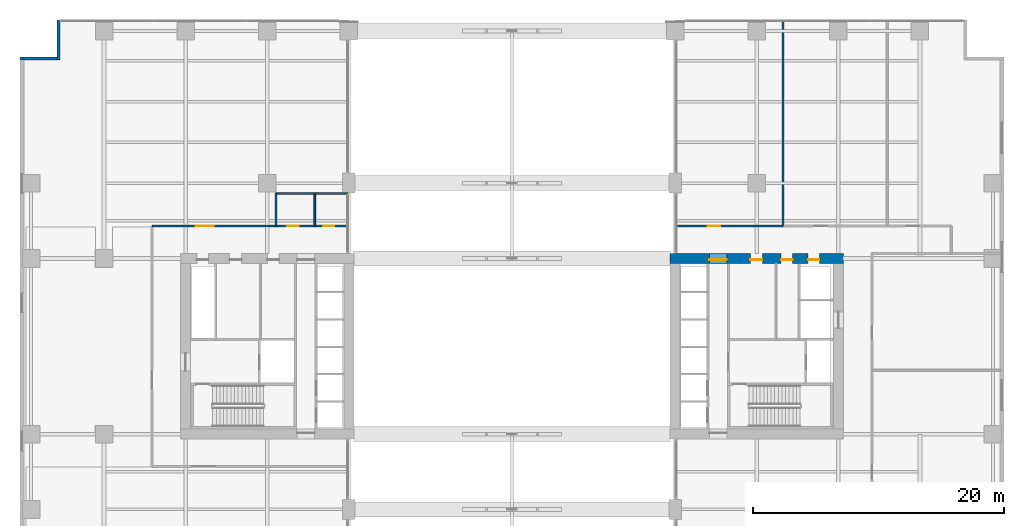
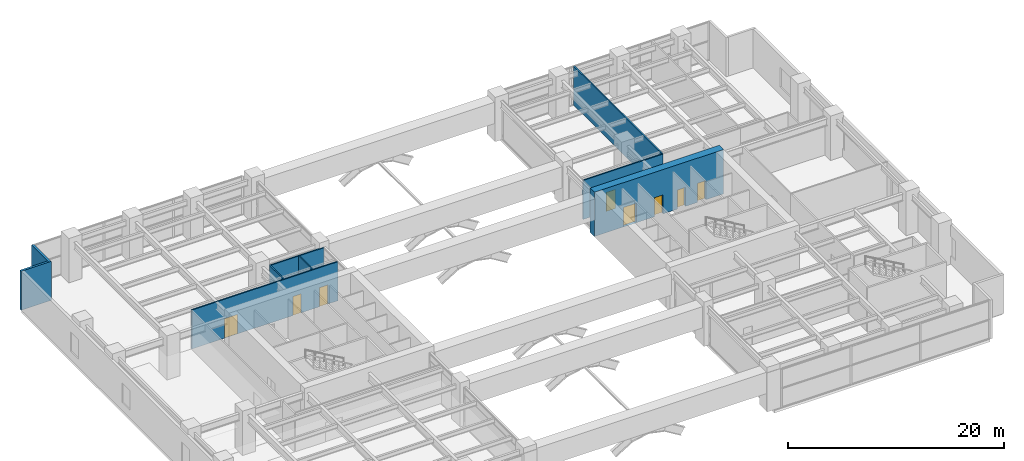
# One storey, part 17 of 23: 9 walls, 8 doors, 8 openings.
"""IFC4 building model written with IfcOpenShell, lengths in metres."""

from ifc_helpers import new_model, si_unit, direction, frame, frame_2d, origin, place, context, subcontext, project, spatial, rectangle, extrude, material, layer, layer_set, type_object, element, fill, save


model = new_model("IFC4")

# Units and contexts
model_context = context("Model", 3, precision=1e-05, world=origin(), true_north=direction((0.0, 1.0)))
body_context = subcontext(model_context, "Body", "Model", "MODEL_VIEW")
ifc_project = project(units=[si_unit("LENGTHUNIT", "METRE"), si_unit("AREAUNIT", "SQUARE_METRE"), si_unit("VOLUMEUNIT", "CUBIC_METRE"), si_unit("PLANEANGLEUNIT", "RADIAN"), si_unit("MASSUNIT", "GRAM", prefix="KILO")], contexts=[model_context])

# Site, building, storey
site_placement = place(None, origin())
site = spatial("IfcSite", under=ifc_project, at=site_placement, CompositionType="ELEMENT")
building_placement = place(site_placement, origin())
building = spatial("IfcBuilding", under=site, at=building_placement, Name="Putna Gate Headquarters", CompositionType="ELEMENT")
storey_placement = place(building_placement, frame((0.0, 0.0, 17.0)))
storey = spatial("IfcBuildingStorey", under=building, at=storey_placement, Name="L03", CompositionType="ELEMENT", Elevation=17.0)

# Wall, openings, doors
ifc_material_1 = material(Name="Concrete C60/75", Category="concrete")
ifc_layer_1 = layer(ifc_material_1, 0.800048828125)
ifc_layer_set_1 = layer_set([ifc_layer_1], Name="Concrete C60/75")
wall_type_1 = type_object("IfcWallType", Name="WALL-CORE-800", PredefinedType="SHEAR", material=ifc_layer_set_1)
wall_1_placement = place(storey_placement, frame((51.60009765625, 33.0, 0.0), z_axis=(0.0, 0.0, 1.0), x_axis=(1.0, 0.0, 0.0)))
wall_1 = element("IfcWall", 1, at=wall_1_placement, inside=storey, type_object=wall_type_1, Name="L03 EC Split Core Shear Wall N", PredefinedType="SHEAR", context=body_context, shape_type="SweptSolid", body=[
    extrude(rectangle(XDim=13.7998046875, YDim=0.800048828125, at=frame_2d((6.89990234375, 0.0))), origin(), (0.0, 0.0, 1.0), 5.0),
])
opening_1_placement = place(wall_1_placement, frame((3.1201171875, 0.0, 0.0)))
opening_1 = element("IfcOpeningElement", 2, at=opening_1_placement, cuts=wall_1, Name="Opening FDD-140", PredefinedType="OPENING", context=body_context, shape_type="SweptSolid", body=[
    extrude(rectangle(XDim=1.39990234375, YDim=2.199951171875, at=frame_2d((0.699951171875, 1.10009765625))), frame((0.0, 0.409912109375, 0.0), z_axis=(0.0, -1.0, 0.0), x_axis=(1.0, 0.0, 0.0)), (0.0, 0.0, 1.0), 0.820068359375),
])
opening_2_placement = place(wall_1_placement, frame((11.0, 0.0, 0.0)))
opening_2 = element("IfcOpeningElement", 3, at=opening_2_placement, cuts=wall_1, Name="Opening RD-90", PredefinedType="OPENING", context=body_context, shape_type="SweptSolid", body=[
    extrude(rectangle(XDim=0.89990234375, YDim=2.14990234375, at=frame_2d((0.449951171875, 1.074951171875))), frame((0.0, 0.409912109375, 0.0), z_axis=(0.0, -1.0, 0.0), x_axis=(1.0, 0.0, 0.0)), (0.0, 0.0, 1.0), 0.820068359375),
])
opening_3_placement = place(wall_1_placement, frame((6.39990234375, 0.0, 0.0)))
opening_3 = element("IfcOpeningElement", 4, at=opening_3_placement, cuts=wall_1, Name="Opening IDS-95", PredefinedType="OPENING", context=body_context, shape_type="SweptSolid", body=[
    extrude(rectangle(XDim=0.949951171875, YDim=2.14990234375, at=frame_2d((0.47509765625, 1.074951171875))), frame((0.0, 0.409912109375, 0.0), z_axis=(0.0, -1.0, 0.0), x_axis=(1.0, 0.0, 0.0)), (0.0, 0.0, 1.0), 0.820068359375),
])
opening_4_placement = place(wall_1_placement, frame((8.85009765625, 0.0, 0.0)))
opening_4 = element("IfcOpeningElement", 5, at=opening_4_placement, cuts=wall_1, Name="Opening IDS-90", PredefinedType="OPENING", context=body_context, shape_type="SweptSolid", body=[
    extrude(rectangle(XDim=0.89990234375, YDim=2.14990234375, at=frame_2d((0.449951171875, 1.074951171875))), frame((0.0, 0.409912109375, 0.0), z_axis=(0.0, -1.0, 0.0), x_axis=(1.0, 0.0, 0.0)), (0.0, 0.0, 1.0), 0.820068359375),
])
ifc_material_2 = material(Name="Double steel fire door", Category="steel")
door_type_1 = type_object("IfcDoorType", Name="DOOR-FIRE-DBL-1400", OperationType="DOUBLE_DOOR_SINGLE_SWING", PredefinedType="DOOR", material=ifc_material_2)
door_1_placement = place(opening_1_placement, origin())
door_1 = element("IfcDoor", 6, at=door_1_placement, inside=storey, type_object=door_type_1, Name="L03 East Lift Lobby North Door", OperationType="DOUBLE_DOOR_SINGLE_SWING", OverallHeight=2.199951171875, OverallWidth=1.39990234375, PredefinedType="DOOR", context=body_context, shape_type="SweptSolid", body=[
    extrude(rectangle(XDim=1.39990234375, YDim=2.199951171875, at=frame_2d((0.699951171875, 1.10009765625))), frame((0.0, -0.0751953125, 0.0), z_axis=(0.0, -1.0, 0.0), x_axis=(1.0, 0.0, 0.0)), (0.0, 0.0, 1.0), 0.050048828125),
])
fill(opening_1, door_1)
ifc_material_3 = material(Name="Fire-rated utility door")
door_type_2 = type_object("IfcDoorType", Name="DOOR-INT-900", OperationType="NOTDEFINED", PredefinedType="DOOR", material=ifc_material_3)
door_2_placement = place(opening_4_placement, origin())
door_2 = element("IfcDoor", 7, at=door_2_placement, inside=storey, type_object=door_type_2, Name="L03 Electrical Plant Door", OperationType="SINGLE_SWING_LEFT", OverallHeight=2.14990234375, OverallWidth=0.89990234375, PredefinedType="DOOR", context=body_context, shape_type="SweptSolid", body=[
    extrude(rectangle(XDim=0.89990234375, YDim=2.14990234375, at=frame_2d((0.449951171875, 1.074951171875))), frame((0.0, -0.0751953125, 0.0), z_axis=(0.0, -1.0, 0.0), x_axis=(1.0, 0.0, 0.0)), (0.0, 0.0, 1.0), 0.050048828125),
])
fill(opening_4, door_2)
ifc_material_4 = material(Name="Fire-rated service timber door", Category="wood")
door_type_3 = type_object("IfcDoorType", Name="DOOR-INT-950", OperationType="NOTDEFINED", PredefinedType="DOOR", material=ifc_material_4)
door_3_placement = place(opening_3_placement, origin())
door_3 = element("IfcDoor", 8, at=door_3_placement, inside=storey, type_object=door_type_3, Name="L03 East Store Door", OperationType="SINGLE_SWING_RIGHT", OverallHeight=2.14990234375, OverallWidth=0.949951171875, PredefinedType="DOOR", context=body_context, shape_type="SweptSolid", body=[
    extrude(rectangle(XDim=0.949951171875, YDim=2.14990234375, at=frame_2d((0.47509765625, 1.074951171875))), frame((0.0, -0.0751953125, 0.0), z_axis=(0.0, -1.0, 0.0), x_axis=(1.0, 0.0, 0.0)), (0.0, 0.0, 1.0), 0.050048828125),
])
fill(opening_3, door_3)
ifc_material_5 = material(Name="Steel riser access fire door", Category="steel")
door_type_4 = type_object("IfcDoorType", Name="DOOR-RISER-900", OperationType="NOTDEFINED", PredefinedType="DOOR", material=ifc_material_5)
door_4_placement = place(opening_2_placement, origin())
door_4 = element("IfcDoor", 9, at=door_4_placement, inside=storey, type_object=door_type_4, Name="L03 East Riser Access Door", OperationType="SINGLE_SWING_LEFT", OverallHeight=2.14990234375, OverallWidth=0.89990234375, PredefinedType="DOOR", context=body_context, shape_type="SweptSolid", body=[
    extrude(rectangle(XDim=0.89990234375, YDim=2.14990234375, at=frame_2d((0.449951171875, 1.074951171875))), frame((0.0, -0.0751953125, 0.0), z_axis=(0.0, -1.0, 0.0), x_axis=(1.0, 0.0, 0.0)), (0.0, 0.0, 1.0), 0.050048828125),
])
fill(opening_2, door_4)

# Walls
ifc_material_6 = material(Name="Precast concrete C40/50", Category="concrete")
ifc_layer_2 = layer(ifc_material_6, 0.239990234375)
ifc_layer_set_2 = layer_set([ifc_layer_2], Name="Precast concrete C40/50")
wall_type_2 = type_object("IfcWallType", Name="WALL-EXT-TERR-240", PredefinedType="STANDARD", material=ifc_layer_set_2)
for number, where, z_axis, x_axis, name in (
    (10, (2.8798828125, 48.800048828125, 0.0), (0.0, 0.0, 1.0), (0.0, 1.0, 0.0), "L03 Corner Notch Return Wall NW-V"),
    (11, (-0.199951171875, 48.919921875, 0.0), (0.0, 0.0, 1.0), (1.0, 0.0, 0.0), "L03 Corner Notch Return Wall NW-H"),
):
    element("IfcWall", number, at=place(storey_placement, frame(where, z_axis=z_axis, x_axis=x_axis)), inside=storey, type_object=wall_type_2, Name=name, PredefinedType="STANDARD", context=body_context, shape_type="SweptSolid", body=[
        extrude(rectangle(XDim=3.199951171875, YDim=0.239990234375, at=frame_2d((1.60009765625, 0.0))), origin(), (0.0, 0.0, 1.0), 4.39990234375),
    ])
ifc_material_7 = material(Name="Fire-rated gypsum board on metal stud")
ifc_layer_3 = layer(ifc_material_7, 0.139892578125)
ifc_layer_set_3 = layer_set([ifc_layer_3], Name="Fire-rated gypsum board on metal stud")
wall_type_3 = type_object("IfcWallType", Name="WALL-PART-140", PredefinedType="PARTITIONING", material=ifc_layer_set_3)
for number, where, z_axis, x_axis, name in (
    (12, (20.199951171875, 35.580078125, 0.0), (0.0, 0.0, 1.0), (0.0, 1.0, 0.0), "L03 Interior Wall PART-L03-PODWC-W"),
    (13, (23.2900390625, 35.580078125, 0.0), (0.0, 0.0, 1.0), (0.0, 1.0, 0.0), "L03 Interior Wall PART-L03-PODWC-M"),
):
    element("IfcWall", number, at=place(storey_placement, frame(where, z_axis=z_axis, x_axis=x_axis)), inside=storey, type_object=wall_type_3, Name=name, PredefinedType="PARTITIONING", context=body_context, shape_type="SweptSolid", body=[
        extrude(rectangle(XDim=2.599853515625, YDim=0.139892578125, at=frame_2d((1.2998046875, 0.0))), origin(), (0.0, 0.0, 1.0), 4.39990234375),
    ])
wall_2_placement = place(storey_placement, frame((20.199951171875, 38.179931640625, 0.0), z_axis=(0.0, 0.0, 1.0), x_axis=(1.0, 0.0, 0.0)))
element("IfcWall", 14, at=wall_2_placement, inside=storey, type_object=wall_type_3, Name="L03 Interior Wall PART-L03-PODWC-N", PredefinedType="PARTITIONING", context=body_context, shape_type="SweptSolid", body=[
    extrude(rectangle(XDim=5.719970703125, YDim=0.139892578125, at=frame_2d((2.85986328125, 0.0))), origin(), (0.0, 0.0, 1.0), 4.39990234375),
])

# Wall, openings, doors
wall_3_placement = place(storey_placement, frame((10.320068359375, 35.580078125, 0.0), z_axis=(0.0, 0.0, 1.0), x_axis=(1.0, 0.0, 0.0)))
wall_3 = element("IfcWall", 15, at=wall_3_placement, inside=storey, type_object=wall_type_3, Name="L03 Interior Wall PART-L03-WN-CW", PredefinedType="PARTITIONING", context=body_context, shape_type="SweptSolid", body=[
    extrude(rectangle(XDim=15.599853515625, YDim=0.139892578125, at=frame_2d((7.7998046875, 0.0))), origin(), (0.0, 0.0, 1.0), 4.39990234375),
])
opening_5_placement = place(wall_3_placement, frame((10.780029296875, 0.0, 0.0)))
opening_5 = element("IfcOpeningElement", 16, at=opening_5_placement, cuts=wall_3, Name="Opening IDS-90", PredefinedType="OPENING", context=body_context, shape_type="SweptSolid", body=[
    extrude(rectangle(XDim=0.89990234375, YDim=2.14990234375, at=frame_2d((0.449951171875, 1.074951171875))), frame((0.0, 0.079833984375, 0.0), z_axis=(0.0, -1.0, 0.0), x_axis=(1.0, 0.0, 0.0)), (0.0, 0.0, 1.0), 0.159912109375),
])
opening_6_placement = place(wall_3_placement, frame((13.6298828125, 0.0, 0.0)))
opening_6 = element("IfcOpeningElement", 17, at=opening_6_placement, cuts=wall_3, Name="Opening IDS-90", PredefinedType="OPENING", context=body_context, shape_type="SweptSolid", body=[
    extrude(rectangle(XDim=0.89990234375, YDim=2.14990234375, at=frame_2d((0.449951171875, 1.074951171875))), frame((0.0, 0.079833984375, 0.0), z_axis=(0.0, -1.0, 0.0), x_axis=(1.0, 0.0, 0.0)), (0.0, 0.0, 1.0), 0.159912109375),
])
opening_7_placement = place(wall_3_placement, frame((3.5, 0.0, 0.0)))
opening_7 = element("IfcOpeningElement", 18, at=opening_7_placement, cuts=wall_3, Name="Opening FDD-140", PredefinedType="OPENING", context=body_context, shape_type="SweptSolid", body=[
    extrude(rectangle(XDim=1.39990234375, YDim=2.199951171875, at=frame_2d((0.699951171875, 1.10009765625))), frame((0.0, 0.079833984375, 0.0), z_axis=(0.0, -1.0, 0.0), x_axis=(1.0, 0.0, 0.0)), (0.0, 0.0, 1.0), 0.159912109375),
])
door_5_placement = place(opening_7_placement, origin())
door_5 = element("IfcDoor", 19, at=door_5_placement, inside=storey, type_object=door_type_1, Name="L03 Commercial Kitchen Door", OperationType="DOUBLE_DOOR_SINGLE_SWING", OverallHeight=2.199951171875, OverallWidth=1.39990234375, PredefinedType="DOOR", context=body_context, shape_type="SweptSolid", body=[
    extrude(rectangle(XDim=1.39990234375, YDim=2.199951171875, at=frame_2d((0.699951171875, 1.10009765625))), frame((0.0, 0.02490234375, 0.0), z_axis=(0.0, -1.0, 0.0), x_axis=(1.0, 0.0, 0.0)), (0.0, 0.0, 1.0), 0.050048828125),
])
fill(opening_7, door_5)
door_6_placement = place(opening_5_placement, origin())
door_6 = element("IfcDoor", 20, at=door_6_placement, inside=storey, type_object=door_type_2, Name="L03 Washroom Door", OperationType="SINGLE_SWING_LEFT", OverallHeight=2.14990234375, OverallWidth=0.89990234375, PredefinedType="DOOR", context=body_context, shape_type="SweptSolid", body=[
    extrude(rectangle(XDim=0.89990234375, YDim=2.14990234375, at=frame_2d((0.449951171875, 1.074951171875))), frame((0.0, 0.02490234375, 0.0), z_axis=(0.0, -1.0, 0.0), x_axis=(1.0, 0.0, 0.0)), (0.0, 0.0, 1.0), 0.050048828125),
])
fill(opening_5, door_6)
door_7_placement = place(opening_6_placement, origin())
door_7 = element("IfcDoor", 21, at=door_7_placement, inside=storey, type_object=door_type_2, Name="L03 Accessible WC Door", OperationType="SINGLE_SWING_LEFT", OverallHeight=2.14990234375, OverallWidth=0.89990234375, PredefinedType="DOOR", context=body_context, shape_type="SweptSolid", body=[
    extrude(rectangle(XDim=0.89990234375, YDim=2.14990234375, at=frame_2d((0.449951171875, 1.074951171875))), frame((0.0, 0.02490234375, 0.0), z_axis=(0.0, -1.0, 0.0), x_axis=(1.0, 0.0, 0.0)), (0.0, 0.0, 1.0), 0.050048828125),
])
fill(opening_6, door_7)

# Wall
wall_4_placement = place(storey_placement, frame((60.60009765625, 35.580078125, 0.0), z_axis=(0.0, 0.0, 1.0), x_axis=(0.0, 1.0, 0.0)))
element("IfcWall", 22, at=wall_4_placement, inside=storey, type_object=wall_type_3, Name="L03 Interior Wall PART-L03-NE1", PredefinedType="PARTITIONING", context=body_context, shape_type="SweptSolid", body=[
    extrude(rectangle(XDim=16.35986328125, YDim=0.139892578125, at=frame_2d((8.179931640625, 0.0))), origin(), (0.0, 0.0, 1.0), 4.39990234375),
])

# Wall, opening, door
wall_5_placement = place(storey_placement, frame((52.080078125, 35.580078125, 0.0), z_axis=(0.0, 0.0, 1.0), x_axis=(1.0, 0.0, 0.0)))
wall_5 = element("IfcWall", 23, at=wall_5_placement, inside=storey, type_object=wall_type_3, Name="L03 Interior Wall PART-L03-EW1", PredefinedType="PARTITIONING", context=body_context, shape_type="SweptSolid", body=[
    extrude(rectangle(XDim=8.52001953125, YDim=0.139892578125, at=frame_2d((4.260009765625, 0.0))), origin(), (0.0, 0.0, 1.0), 4.39990234375),
])
opening_8_placement = place(wall_5_placement, frame((2.5, 0.0, 0.0)))
opening_8 = element("IfcOpeningElement", 24, at=opening_8_placement, cuts=wall_5, Name="Opening IDS-100", PredefinedType="OPENING", context=body_context, shape_type="SweptSolid", body=[
    extrude(rectangle(XDim=1.0, YDim=2.14990234375, at=frame_2d((0.5, 1.074951171875))), frame((0.0, 0.079833984375, 0.0), z_axis=(0.0, -1.0, 0.0), x_axis=(1.0, 0.0, 0.0)), (0.0, 0.0, 1.0), 0.159912109375),
])
ifc_material_8 = material(Name="Fire-rated office door")
door_type_5 = type_object("IfcDoorType", Name="DOOR-INT-1000", OperationType="NOTDEFINED", PredefinedType="DOOR", material=ifc_material_8)
door_8_placement = place(opening_8_placement, origin())
door_8 = element("IfcDoor", 25, at=door_8_placement, inside=storey, type_object=door_type_5, Name="L03 Wellness Room A Door", OperationType="SINGLE_SWING_LEFT", OverallHeight=2.14990234375, OverallWidth=1.0, PredefinedType="DOOR", context=body_context, shape_type="SweptSolid", body=[
    extrude(rectangle(XDim=1.0, YDim=2.14990234375, at=frame_2d((0.5, 1.074951171875))), frame((0.0, 0.02490234375, 0.0), z_axis=(0.0, -1.0, 0.0), x_axis=(1.0, 0.0, 0.0)), (0.0, 0.0, 1.0), 0.050048828125),
])
fill(opening_8, door_8)

save(model, "model.ifc")
